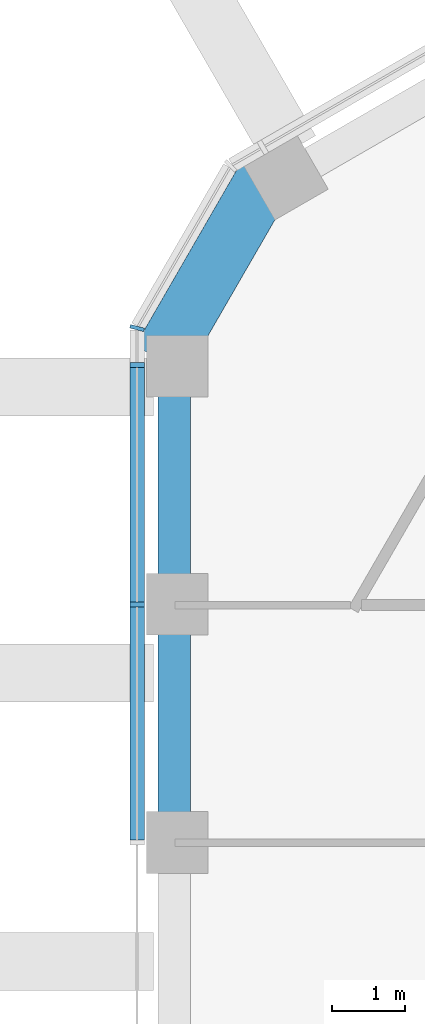
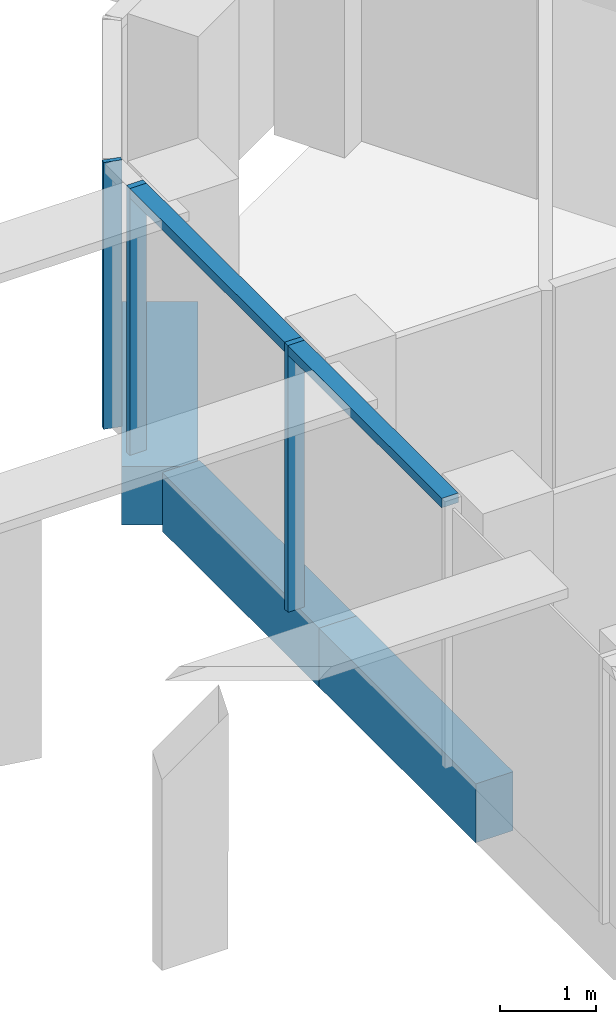
# One storey, part 3 of 19: 4 members, 3 beams, 2 elements without a shape of their own.
"""IFC4 building model written with IfcOpenShell, lengths in metres."""

from ifc_helpers import new_model, si_unit, direction, frame, origin, origin_2d, place, context, subcontext, project, spatial, rectangle, extrude, material, layer, layer_set, material_profile, profile_set, type_object, element, aggregate, save


model = new_model("IFC4")

# Units and contexts
model_context = context("Model", 3, precision=1e-05, world=origin(), true_north=direction((0.0, 1.0)))
body_context = subcontext(model_context, "Body", "Model", "MODEL_VIEW")
ifc_project = project(units=[si_unit("LENGTHUNIT", "METRE"), si_unit("AREAUNIT", "SQUARE_METRE"), si_unit("VOLUMEUNIT", "CUBIC_METRE"), si_unit("PLANEANGLEUNIT", "RADIAN"), si_unit("MASSUNIT", "GRAM", prefix="KILO")], contexts=[model_context])

# Site, building, storey
site_placement = place(None, origin())
site = spatial("IfcSite", under=ifc_project, at=site_placement, CompositionType="ELEMENT")
building_placement = place(site_placement, origin())
building = spatial("IfcBuilding", under=site, at=building_placement, Name="Ayvan Gate Tower", CompositionType="ELEMENT")
storey_placement = place(building_placement, frame((0.0, 0.0, 235.89990234375)))
storey = spatial("IfcBuildingStorey", under=building, at=storey_placement, Name="L63", CompositionType="ELEMENT", Elevation=235.89990234375)

# Beams
ifc_material_1 = material(Name="Concrete C40/50", Category="concrete")
ifc_material_profile_1 = material_profile(ifc_material_1, rectangle(XDim=0.800048828125, YDim=0.75, at=origin_2d()), Name="RC 800x750")
ifc_profile_set_1 = profile_set([ifc_material_profile_1], Name="Concrete C40/50")
beam_type_1 = type_object("IfcBeamType", Name="Corner spandrel beam RC 800x750 C40/50", PredefinedType="BEAM", material=ifc_profile_set_1)
beam_placement = place(storey_placement, frame((-15.2939453125, 10.89013671875, -0.724853515625), z_axis=(-0.499990139034, -0.866031096941, 0.0), x_axis=(0.866031096941, -0.499990139034, 0.0)))
element("IfcBeam", 1, at=beam_placement, inside=storey, type_object=beam_type_1, Name="SB-L63-18", PredefinedType="BEAM", context=body_context, shape_type="SweptSolid", body=[
    extrude(rectangle(XDim=0.800048828125, YDim=0.75, at=origin_2d()), origin(), (0.0, 0.0, 1.0), 3.0),
])
ifc_material_profile_2 = material_profile(ifc_material_1, rectangle(XDim=0.449951171875, YDim=0.75, at=origin_2d()), Name="RC 450x750")
ifc_profile_set_2 = profile_set([ifc_material_profile_2], Name="Concrete C40/50")
beam_type_2 = type_object("IfcBeamType", Name="Spandrel beam RC 450x750 C40/50", PredefinedType="BEAM", material=ifc_profile_set_2)
for number, where, z_axis, x_axis, name in (
    (2, (-16.603515625, 8.181884765625, -0.724853515625), (0.0, -1.0, 0.0), (1.0, 0.0, 0.0), "SB-L63-19"),
    (3, (-16.603515625, 4.9091796875, -0.724853515625), (0.0, -1.0, 0.0), (1.0, 0.0, 0.0), "SB-L63-20"),
):
    element("IfcBeam", number, at=place(storey_placement, frame(where, z_axis=z_axis, x_axis=x_axis)), inside=storey, type_object=beam_type_2, Name=name, PredefinedType="BEAM", context=body_context, shape_type="SweptSolid", body=[
        extrude(rectangle(XDim=0.449951171875, YDim=0.75, at=origin_2d()), origin(), (0.0, 0.0, 1.0), 3.272705078125),
    ])

# Curtain wall, members
ifc_material_2 = material(Name="Bronze anodised aluminium", Category="aluminium")
ifc_layer_1 = layer(ifc_material_2, 0.199951171875)
ifc_layer_set_1 = layer_set([ifc_layer_1], Name="Bronze anodised aluminium")
curtain_wall_type_1 = type_object("IfcCurtainWallType", Name="Stick curtain wall CW-2", PredefinedType="NOTDEFINED", material=ifc_layer_set_1)
curtain_wall_1_placement = place(storey_placement, origin())
curtain_wall_1 = element("IfcCurtainWall", 4, at=curtain_wall_1_placement, inside=storey, type_object=curtain_wall_type_1, Name="Stick curtain wall CW-2 L63", PredefinedType="NOTDEFINED")
ifc_material_profile_3 = material_profile(ifc_material_2, rectangle(XDim=0.199951171875, YDim=0.070068359375, at=origin_2d()), Name="Stick curtain wall CW-2 mullion 200 x 70")
ifc_profile_set_3 = profile_set([ifc_material_profile_3], Name="Bronze anodised aluminium")
member_type_1 = type_object("IfcMemberType", Name="Stick curtain wall CW-2 mullion 200 x 70", PredefinedType="MULLION", material=ifc_profile_set_3)
member_1_placement = place(storey_placement, frame((-17.11572265625, 8.223388671875, 0.0), z_axis=(0.0, 0.0, 1.0), x_axis=(-1.0, 0.0, 0.0)))
member_1 = element("IfcMember", 5, at=member_1_placement, type_object=member_type_1, Name="CW-2 mullion 1", PredefinedType="MULLION", context=body_context, shape_type="SweptSolid", body=[
    extrude(rectangle(XDim=0.199951171875, YDim=0.070068359375, at=origin_2d()), origin(), (0.0, 0.0, 1.0), 3.400146484375),
])
member_2_placement = place(storey_placement, frame((-17.11572265625, 4.92333984375, 0.0), z_axis=(0.0, 0.0, 1.0), x_axis=(-1.0, 0.0, 0.0)))
member_2 = element("IfcMember", 6, at=member_2_placement, type_object=member_type_1, Name="CW-2 mullion 2", PredefinedType="MULLION", context=body_context, shape_type="SweptSolid", body=[
    extrude(rectangle(XDim=0.199951171875, YDim=0.070068359375, at=origin_2d()), origin(), (0.0, 0.0, 1.0), 3.400146484375),
])
ifc_material_profile_4 = material_profile(ifc_material_2, rectangle(XDim=0.199951171875, YDim=0.1201171875, at=origin_2d()), Name="Stick curtain wall CW-2 transom 200 x 120")
ifc_profile_set_4 = profile_set([ifc_material_profile_4], Name="Bronze anodised aluminium")
member_type_2 = type_object("IfcMemberType", Name="Stick curtain wall CW-2 transom 200 x 120", PredefinedType="USERDEFINED", material=ifc_profile_set_4)
member_3_placement = place(storey_placement, frame((-17.11572265625, 8.223388671875, 3.340087890625), z_axis=(0.0, -1.0, 0.0), x_axis=(1.0, 0.0, 0.0)))
member_3 = element("IfcMember", 7, at=member_3_placement, type_object=member_type_2, Name="CW-2 transom 1", ObjectType="TRANSOM", PredefinedType="USERDEFINED", context=body_context, shape_type="SweptSolid", body=[
    extrude(rectangle(XDim=0.199951171875, YDim=0.1201171875, at=origin_2d()), origin(), (0.0, 0.0, 1.0), 6.547119140625),
])
aggregate(curtain_wall_1, [member_1, member_2, member_3])

# Curtain wall, member
ifc_layer_2 = layer(ifc_material_2, 0.199951171875)
ifc_layer_set_2 = layer_set([ifc_layer_2], Name="Bronze anodised aluminium")
curtain_wall_type_2 = type_object("IfcCurtainWallType", Name="Stick curtain wall CW-6", PredefinedType="NOTDEFINED", material=ifc_layer_set_2)
curtain_wall_2_placement = place(storey_placement, origin())
curtain_wall_2 = element("IfcCurtainWall", 8, at=curtain_wall_2_placement, inside=storey, type_object=curtain_wall_type_2, Name="Stick curtain wall CW-6 L63", PredefinedType="NOTDEFINED")
ifc_material_profile_5 = material_profile(ifc_material_2, rectangle(XDim=0.199951171875, YDim=0.050048828125, at=origin_2d()), Name="Stick curtain wall CW-6 mullion 200 x 50")
ifc_profile_set_5 = profile_set([ifc_material_profile_5], Name="Bronze anodised aluminium")
member_type_3 = type_object("IfcMemberType", Name="Stick curtain wall CW-6 mullion 200 x 50", PredefinedType="MULLION", material=ifc_profile_set_5)
member_4_placement = place(storey_placement, frame((-17.11572265625, 8.7333984375, 0.0), z_axis=(0.0, 0.0, 1.0), x_axis=(-0.965925826289, 0.258819045103, 0.0)))
member_4 = element("IfcMember", 9, at=member_4_placement, type_object=member_type_3, Name="CW-6 mullion 3", PredefinedType="MULLION", context=body_context, shape_type="SweptSolid", body=[
    extrude(rectangle(XDim=0.199951171875, YDim=0.050048828125, at=origin_2d()), origin(), (0.0, 0.0, 1.0), 3.400146484375),
])
aggregate(curtain_wall_2, [member_4])

save(model, "model.ifc")
